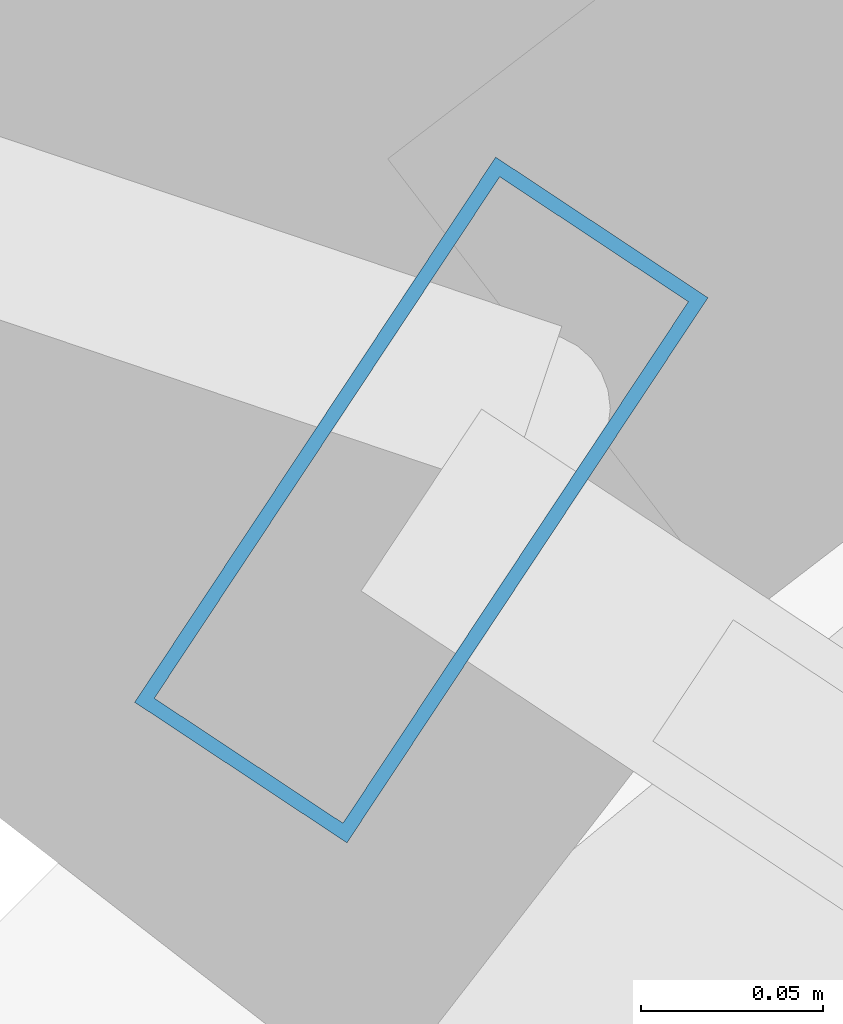
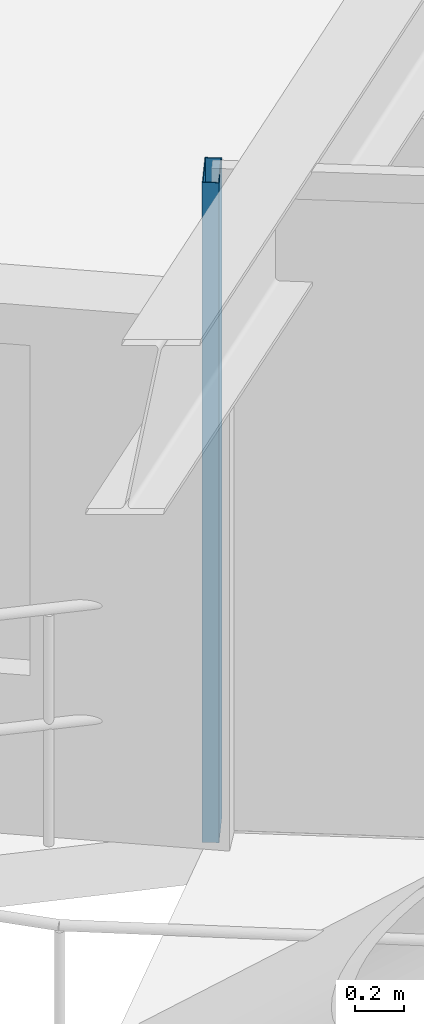
# One storey, part 2 of 19: 1 member, 1 element without a shape of its own.
"""IFC4 building model written with IfcOpenShell, lengths in metres."""

from ifc_helpers import new_model, si_unit, direction, frame, origin, origin_2d, place, context, subcontext, project, spatial, hollow_rectangle, extrude, material, layer, layer_set, material_profile, profile_set, type_object, element, aggregate, save


model = new_model("IFC4")

# Units and contexts
model_context = context("Model", 3, precision=1e-05, world=origin(), true_north=direction((0.0, 1.0)))
body_context = subcontext(model_context, "Body", "Model", "MODEL_VIEW")
ifc_project = project(units=[si_unit("LENGTHUNIT", "METRE"), si_unit("AREAUNIT", "SQUARE_METRE"), si_unit("VOLUMEUNIT", "CUBIC_METRE"), si_unit("PLANEANGLEUNIT", "RADIAN"), si_unit("MASSUNIT", "GRAM", prefix="KILO")], contexts=[model_context])

# Site, building, storey
site_placement = place(None, origin())
site = spatial("IfcSite", under=ifc_project, at=site_placement, CompositionType="ELEMENT")
building_placement = place(site_placement, origin())
building = spatial("IfcBuilding", under=site, at=building_placement, Name="Veldorina Hangang Commons", CompositionType="ELEMENT")
storey_placement = place(building_placement, frame((0.0, 0.0, 52.0)))
storey = spatial("IfcBuildingStorey", under=building, at=storey_placement, Name="L12", CompositionType="ELEMENT", Elevation=52.0)

# Curtain wall, member
ifc_material_1 = material(Name="Glass Low-E Triple IGU", Category="glass")
ifc_layer = layer(ifc_material_1, 0.179931640625)
ifc_layer_set = layer_set([ifc_layer], Name="Glass Low-E Triple IGU")
curtain_wall_type = type_object("IfcCurtainWallType", Name="CW-SYS-Z1", PredefinedType="NOTDEFINED", material=ifc_layer_set)
curtain_wall_placement = place(storey_placement, origin())
curtain_wall = element("IfcCurtainWall", 1, at=curtain_wall_placement, inside=storey, type_object=curtain_wall_type, Name="L12 unitised curtain wall CW-L12-R1", PredefinedType="NOTDEFINED")
ifc_material_2 = material(Name="Aluminium Anodized AA6063-T6", Category="aluminium")
ifc_material_profile = material_profile(ifc_material_2, hollow_rectangle(XDim=0.070068359375, YDim=0.179931640625, WallThickness=0.00390625, at=origin_2d()), Name="ALU-RHS-180x70x4")
ifc_profile_set = profile_set([ifc_material_profile], Name="Aluminium Anodized AA6063-T6")
member_type = type_object("IfcMemberType", Name="CW-MUL-180", PredefinedType="MULLION", material=ifc_profile_set)
member_placement = place(storey_placement, frame((13.67529296875, 9.210693359375, 0.0), z_axis=(0.0, 0.0, 1.0), x_axis=(0.833712384802, -0.552198931028, 0.0)))
member = element("IfcMember", 2, at=member_placement, type_object=member_type, Name="CW-L12-R1 vertical mullion 1", PredefinedType="MULLION", context=body_context, shape_type="SweptSolid", body=[
    extrude(hollow_rectangle(XDim=0.070068359375, YDim=0.179931640625, WallThickness=0.00390625, at=origin_2d()), origin(), (0.0, 0.0, 1.0), 3.300048828125),
])
aggregate(curtain_wall, [member])

save(model, "model.ifc")
